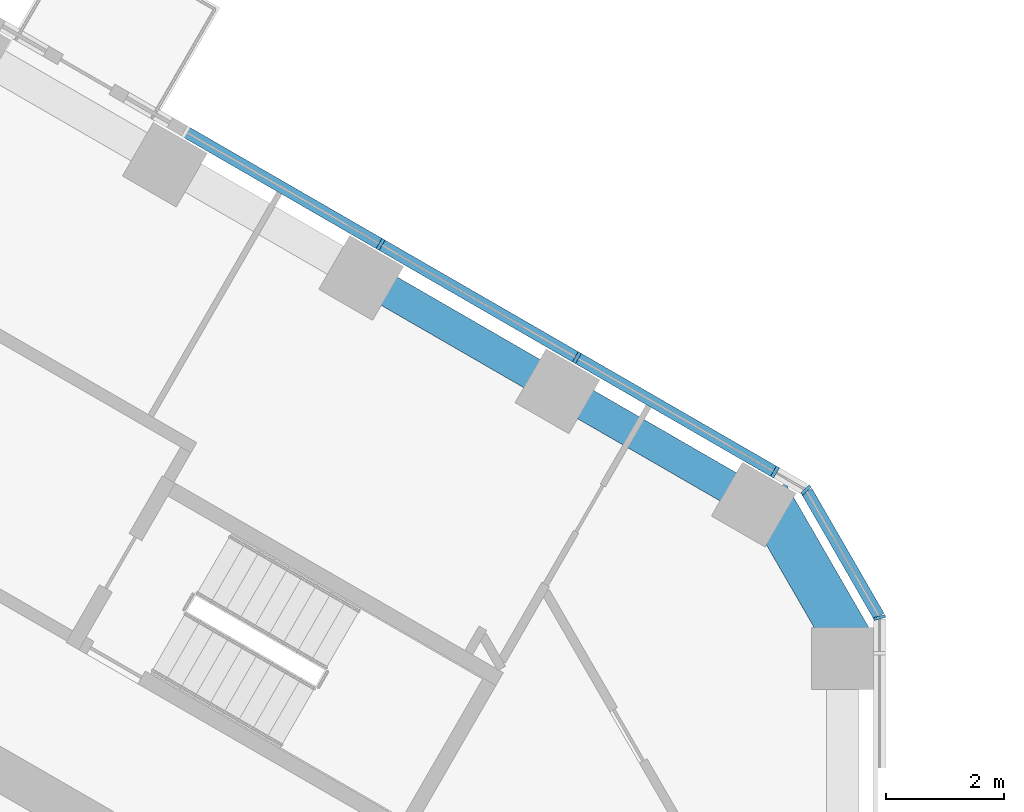
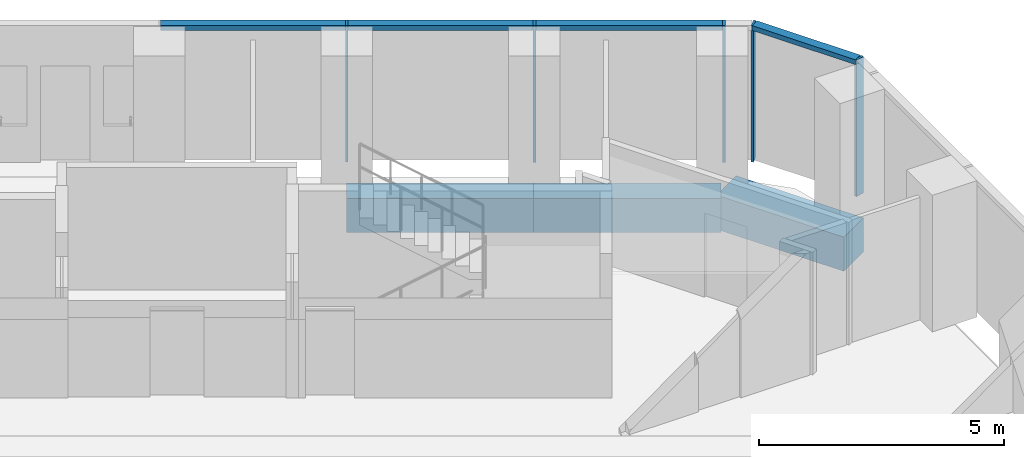
# One storey, part 7 of 20: 7 members, 3 beams, 2 elements without a shape of their own.
"""IFC4 building model written with IfcOpenShell, lengths in metres."""

from ifc_helpers import new_model, si_unit, direction, frame, origin, origin_2d, place, context, subcontext, project, spatial, rectangle, extrude, material, layer, layer_set, material_profile, profile_set, type_object, element, aggregate, save


model = new_model("IFC4")

# Units and contexts
model_context = context("Model", 3, precision=1e-05, world=origin(), true_north=direction((0.0, 1.0)))
body_context = subcontext(model_context, "Body", "Model", "MODEL_VIEW")
ifc_project = project(units=[si_unit("LENGTHUNIT", "METRE"), si_unit("AREAUNIT", "SQUARE_METRE"), si_unit("VOLUMEUNIT", "CUBIC_METRE"), si_unit("PLANEANGLEUNIT", "RADIAN"), si_unit("MASSUNIT", "GRAM", prefix="KILO")], contexts=[model_context])

# Site, building, storey
site_placement = place(None, origin())
site = spatial("IfcSite", under=ifc_project, at=site_placement, CompositionType="ELEMENT")
building_placement = place(site_placement, origin())
building = spatial("IfcBuilding", under=site, at=building_placement, Name="Ayvan Gate Tower", CompositionType="ELEMENT")
storey_placement = place(building_placement, frame((0.0, 0.0, 86.5)))
storey = spatial("IfcBuildingStorey", under=building, at=storey_placement, Name="L22", CompositionType="ELEMENT", Elevation=86.5)

# Beams
ifc_material_1 = material(Name="Concrete C40/50", Category="concrete")
ifc_material_profile_1 = material_profile(ifc_material_1, rectangle(XDim=0.800048828125, YDim=0.85009765625, at=origin_2d()), Name="RC 800x850")
ifc_profile_set_1 = profile_set([ifc_material_profile_1], Name="Concrete C40/50")
beam_type_1 = type_object("IfcBeamType", Name="Corner spandrel beam RC 800x850 C40/50", PredefinedType="BEAM", material=ifc_profile_set_1)
beam_1_placement = place(storey_placement, frame((19.676025390625, 9.574951171875, -0.77490234375), z_axis=(-0.499990139034, 0.866031096941, 0.0), x_axis=(-0.866031096941, -0.499990139034, 0.0)))
element("IfcBeam", 1, at=beam_1_placement, inside=storey, type_object=beam_type_1, Name="SB-L22-6", PredefinedType="BEAM", context=body_context, shape_type="SweptSolid", body=[
    extrude(rectangle(XDim=0.800048828125, YDim=0.85009765625, at=origin_2d()), origin(), (0.0, 0.0, 1.0), 3.0),
])
ifc_material_profile_2 = material_profile(ifc_material_1, rectangle(XDim=0.550048828125, YDim=0.85009765625, at=origin_2d()), Name="RC 550x850")
ifc_profile_set_2 = profile_set([ifc_material_profile_2], Name="Concrete C40/50")
beam_type_2 = type_object("IfcBeamType", Name="Spandrel beam RC 550x850 C40/50", PredefinedType="BEAM", material=ifc_profile_set_2)
beam_2_placement = place(storey_placement, frame((17.985595703125, 12.063232421875, -0.77490234375), z_axis=(-0.866054607372, 0.49994941449, 0.0), x_axis=(-0.49994941449, -0.866054607372, 0.0)))
element("IfcBeam", 2, at=beam_2_placement, inside=storey, type_object=beam_type_2, Name="SB-L22-7", PredefinedType="BEAM", context=body_context, shape_type="SweptSolid", body=[
    extrude(rectangle(XDim=0.550048828125, YDim=0.85009765625, at=origin_2d()), origin(), (0.0, 0.0, 1.0), 3.81787109375),
])
beam_3_placement = place(storey_placement, frame((14.67919921875, 13.971923828125, -0.77490234375), z_axis=(-0.866010930507, 0.500025067614, 0.0), x_axis=(-0.500025067614, -0.866010930507, 0.0)))
element("IfcBeam", 3, at=beam_3_placement, inside=storey, type_object=beam_type_2, Name="SB-L22-8", PredefinedType="BEAM", context=body_context, shape_type="SweptSolid", body=[
    extrude(rectangle(XDim=0.550048828125, YDim=0.85009765625, at=origin_2d()), origin(), (0.0, 0.0, 1.0), 3.817626953125),
])

# Curtain wall, members
ifc_material_2 = material(Name="Bronze anodised aluminium", Category="aluminium")
ifc_layer_1 = layer(ifc_material_2, 0.199951171875)
ifc_layer_set_1 = layer_set([ifc_layer_1], Name="Bronze anodised aluminium")
curtain_wall_type_1 = type_object("IfcCurtainWallType", Name="Stick curtain wall CW-1", PredefinedType="NOTDEFINED", material=ifc_layer_set_1)
curtain_wall_1_placement = place(storey_placement, origin())
curtain_wall_1 = element("IfcCurtainWall", 4, at=curtain_wall_1_placement, inside=storey, type_object=curtain_wall_type_1, Name="Stick curtain wall CW-1 L22", PredefinedType="NOTDEFINED")
ifc_material_profile_3 = material_profile(ifc_material_2, rectangle(XDim=0.199951171875, YDim=0.06005859375, at=origin_2d()), Name="Stick curtain wall CW-1 mullion 200 x 60")
ifc_profile_set_3 = profile_set([ifc_material_profile_3], Name="Bronze anodised aluminium")
member_type_1 = type_object("IfcMemberType", Name="Stick curtain wall CW-1 mullion 200 x 60", PredefinedType="MULLION", material=ifc_profile_set_3)
member_1_placement = place(storey_placement, frame((18.34326171875, 12.5625, 0.0), z_axis=(0.0, 0.0, 1.0), x_axis=(0.5, 0.866025403784, 0.0)))
member_1 = element("IfcMember", 5, at=member_1_placement, type_object=member_type_1, Name="CW-1 mullion 1", PredefinedType="MULLION", context=body_context, shape_type="SweptSolid", body=[
    extrude(rectangle(XDim=0.199951171875, YDim=0.06005859375, at=origin_2d()), origin(), (0.0, 0.0, 1.0), 3.39990234375),
])
member_2_placement = place(storey_placement, frame((14.997802734375, 14.494140625, 0.0), z_axis=(0.0, 0.0, 1.0), x_axis=(0.5, 0.866025403784, 0.0)))
member_2 = element("IfcMember", 6, at=member_2_placement, type_object=member_type_1, Name="CW-1 mullion 2", PredefinedType="MULLION", context=body_context, shape_type="SweptSolid", body=[
    extrude(rectangle(XDim=0.199951171875, YDim=0.06005859375, at=origin_2d()), origin(), (0.0, 0.0, 1.0), 3.39990234375),
])
member_3_placement = place(storey_placement, frame((11.682861328125, 16.408203125, 0.0), z_axis=(0.0, 0.0, 1.0), x_axis=(0.5, 0.866025403784, 0.0)))
member_3 = element("IfcMember", 7, at=member_3_placement, type_object=member_type_1, Name="CW-1 mullion 3", PredefinedType="MULLION", context=body_context, shape_type="SweptSolid", body=[
    extrude(rectangle(XDim=0.199951171875, YDim=0.06005859375, at=origin_2d()), origin(), (0.0, 0.0, 1.0), 3.39990234375),
])
ifc_material_profile_4 = material_profile(ifc_material_2, rectangle(XDim=0.199951171875, YDim=0.1201171875, at=origin_2d()), Name="Stick curtain wall CW-1 transom 200 x 120")
ifc_profile_set_4 = profile_set([ifc_material_profile_4], Name="Bronze anodised aluminium")
member_type_2 = type_object("IfcMemberType", Name="Stick curtain wall CW-1 transom 200 x 120", PredefinedType="USERDEFINED", material=ifc_profile_set_4)
member_4_placement = place(storey_placement, frame((18.34326171875, 12.5625, 3.340087890625), z_axis=(-0.866016417261, 0.500015564793, 0.0), x_axis=(-0.500015564793, -0.866016417261, 0.0)))
member_4 = element("IfcMember", 8, at=member_4_placement, type_object=member_type_2, Name="CW-1 transom 1", ObjectType="TRANSOM", PredefinedType="USERDEFINED", context=body_context, shape_type="SweptSolid", body=[
    extrude(rectangle(XDim=0.199951171875, YDim=0.1201171875, at=origin_2d()), origin(), (0.0, 0.0, 1.0), 11.488037109375),
])
aggregate(curtain_wall_1, [member_1, member_2, member_3, member_4])

ifc_layer_2 = layer(ifc_material_2, 0.199951171875)
ifc_layer_set_2 = layer_set([ifc_layer_2], Name="Bronze anodised aluminium")
curtain_wall_type_2 = type_object("IfcCurtainWallType", Name="Stick curtain wall CW-6", PredefinedType="NOTDEFINED", material=ifc_layer_set_2)
curtain_wall_2_placement = place(storey_placement, origin())
curtain_wall_2 = element("IfcCurtainWall", 9, at=curtain_wall_2_placement, inside=storey, type_object=curtain_wall_type_2, Name="Stick curtain wall CW-6 L22", PredefinedType="NOTDEFINED")
ifc_material_profile_5 = material_profile(ifc_material_2, rectangle(XDim=0.199951171875, YDim=0.050048828125, at=origin_2d()), Name="Stick curtain wall CW-6 mullion 200 x 50")
ifc_profile_set_5 = profile_set([ifc_material_profile_5], Name="Bronze anodised aluminium")
member_type_3 = type_object("IfcMemberType", Name="Stick curtain wall CW-6 mullion 200 x 50", PredefinedType="MULLION", material=ifc_profile_set_5)
member_5_placement = place(storey_placement, frame((20.110595703125, 10.106689453125, 0.0), z_axis=(0.0, 0.0, 1.0), x_axis=(0.965925826289, 0.258819045103, 0.0)))
member_5 = element("IfcMember", 10, at=member_5_placement, type_object=member_type_3, Name="CW-6 mullion 2", PredefinedType="MULLION", context=body_context, shape_type="SweptSolid", body=[
    extrude(rectangle(XDim=0.199951171875, YDim=0.050048828125, at=origin_2d()), origin(), (0.0, 0.0, 1.0), 3.39990234375),
])
member_6_placement = place(storey_placement, frame((18.8671875, 12.260009765625, 0.0), z_axis=(0.0, 0.0, 1.0), x_axis=(0.707106781187, 0.707106781187, 0.0)))
member_6 = element("IfcMember", 11, at=member_6_placement, type_object=member_type_3, Name="CW-6 mullion 3", PredefinedType="MULLION", context=body_context, shape_type="SweptSolid", body=[
    extrude(rectangle(XDim=0.199951171875, YDim=0.050048828125, at=origin_2d()), origin(), (0.0, 0.0, 1.0), 3.39990234375),
])
ifc_material_profile_6 = material_profile(ifc_material_2, rectangle(XDim=0.199951171875, YDim=0.1201171875, at=origin_2d()), Name="Stick curtain wall CW-6 transom 200 x 120")
ifc_profile_set_6 = profile_set([ifc_material_profile_6], Name="Bronze anodised aluminium")
member_type_4 = type_object("IfcMemberType", Name="Stick curtain wall CW-6 transom 200 x 120", PredefinedType="USERDEFINED", material=ifc_profile_set_6)
member_7_placement = place(storey_placement, frame((20.09814453125, 10.12841796875, 3.340087890625), z_axis=(-0.499997116, 0.866027068856, 0.0), x_axis=(-0.866027068856, -0.499997116, 0.0)))
member_7 = element("IfcMember", 12, at=member_7_placement, type_object=member_type_4, Name="CW-6 transom 2", ObjectType="TRANSOM", PredefinedType="USERDEFINED", context=body_context, shape_type="SweptSolid", body=[
    extrude(rectangle(XDim=0.199951171875, YDim=0.1201171875, at=origin_2d()), origin(), (0.0, 0.0, 1.0), 2.4365234375),
])
aggregate(curtain_wall_2, [member_5, member_6, member_7])

save(model, "model.ifc")
